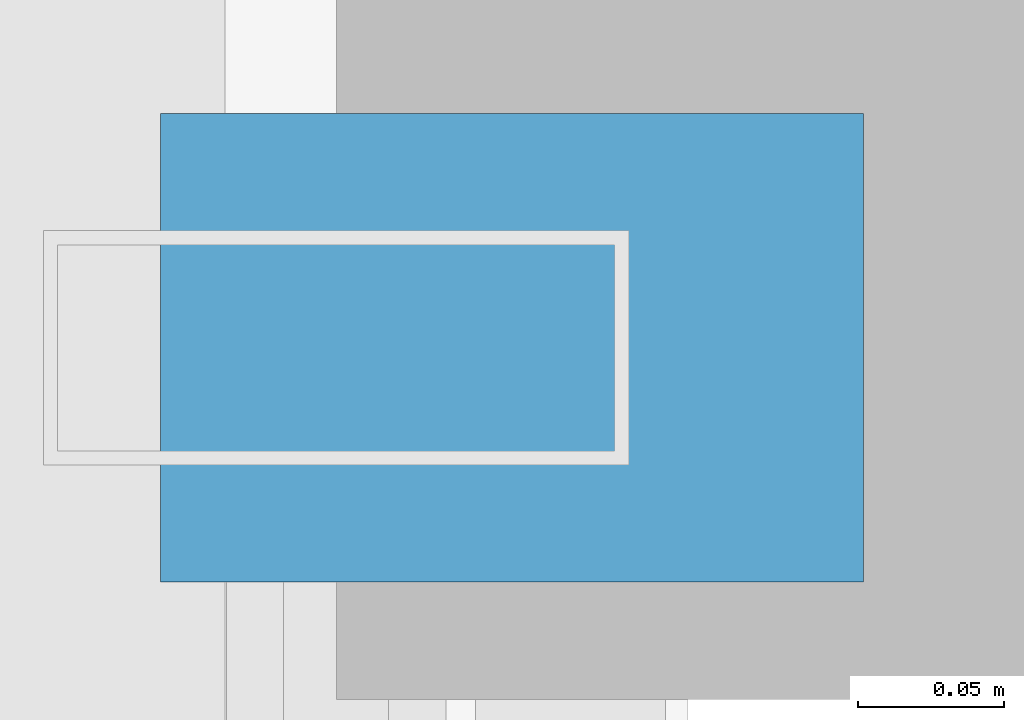
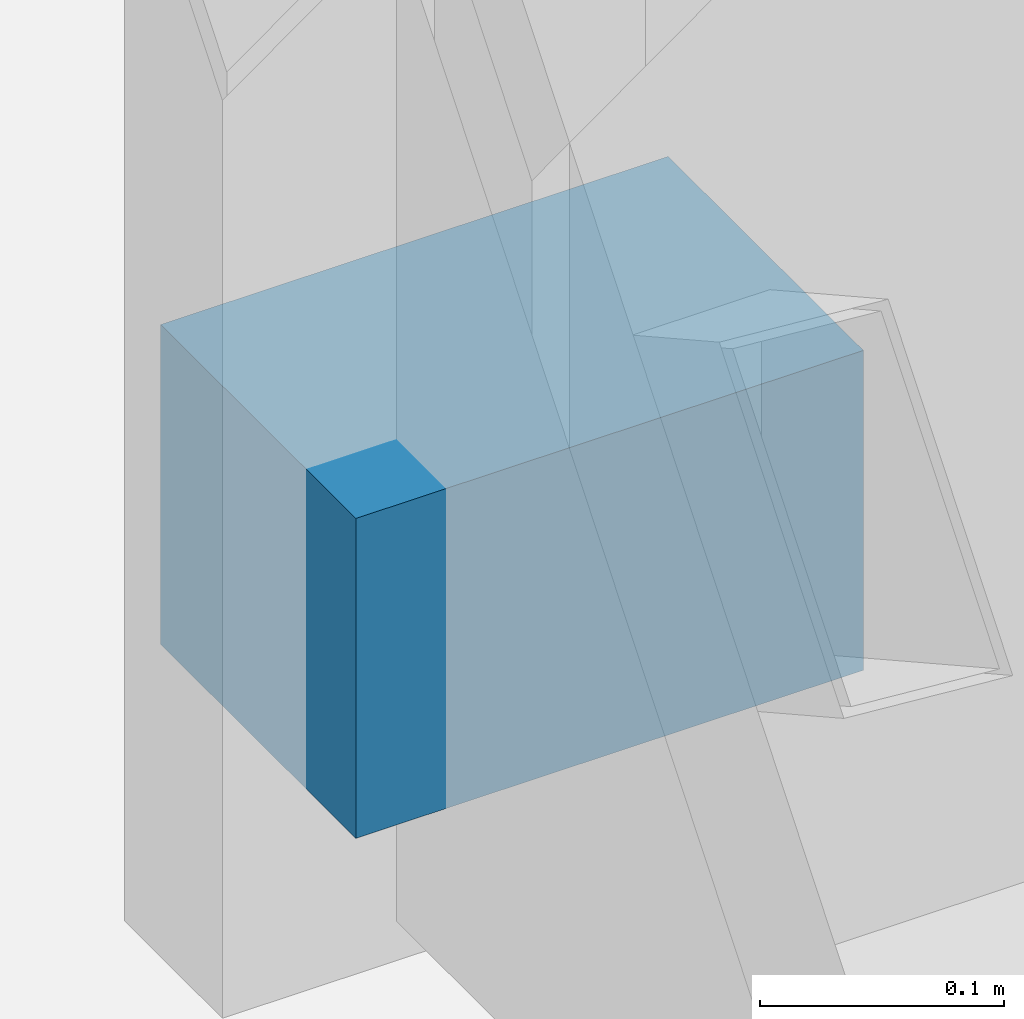
# One storey, part 35 of 38: 1 discrete accessory.
"""IFC4 building model written with IfcOpenShell, lengths in metres."""

from ifc_helpers import new_model, si_unit, direction, frame, origin, origin_2d, place, context, subcontext, project, spatial, rectangle, extrude, material, type_object, element, save


model = new_model("IFC4")

# Units and contexts
model_context = context("Model", 3, precision=1e-05, world=origin(), true_north=direction((0.0, 1.0)))
body_context = subcontext(model_context, "Body", "Model", "MODEL_VIEW")
ifc_project = project(units=[si_unit("LENGTHUNIT", "METRE"), si_unit("AREAUNIT", "SQUARE_METRE"), si_unit("VOLUMEUNIT", "CUBIC_METRE"), si_unit("PLANEANGLEUNIT", "RADIAN"), si_unit("MASSUNIT", "GRAM", prefix="KILO")], contexts=[model_context])

# Site, building, storey
site_placement = place(None, origin())
site = spatial("IfcSite", under=ifc_project, at=site_placement, CompositionType="ELEMENT")
building_placement = place(site_placement, origin())
building = spatial("IfcBuilding", under=site, at=building_placement, Name="Drelvath Grand Hotel", CompositionType="ELEMENT")
storey_placement = place(building_placement, frame((0.0, 0.0, 71.699951171875)))
storey = spatial("IfcBuildingStorey", under=building, at=storey_placement, Name="L17", CompositionType="ELEMENT", Elevation=71.699951171875)

# Discrete accessory
ifc_material = material(Name="Stainless Steel Grade 316", Category="steel")
discrete_accessory_type = type_object("IfcDiscreteAccessoryType", Name="Curtain Wall Fin Mounting Bracket Cleat", PredefinedType="BRACKET", material=ifc_material)
discrete_accessory_placement = place(storey_placement, frame((26.260009765625, 32.39990234375, 0.10009765625), z_axis=(0.0, 0.0, 1.0), x_axis=(0.0, -1.0, 0.0)))
element("IfcDiscreteAccessory", 1, at=discrete_accessory_placement, inside=storey, type_object=discrete_accessory_type, Name="L17 Fin Mounting Bracket CW02-L17-EM2-1", PredefinedType="BRACKET", context=body_context, shape_type="SweptSolid", body=[
    extrude(rectangle(XDim=0.159912109375, YDim=0.239990234375, at=origin_2d()), origin(), (0.0, 0.0, 1.0), 0.159912109375),
])

save(model, "model.ifc")
